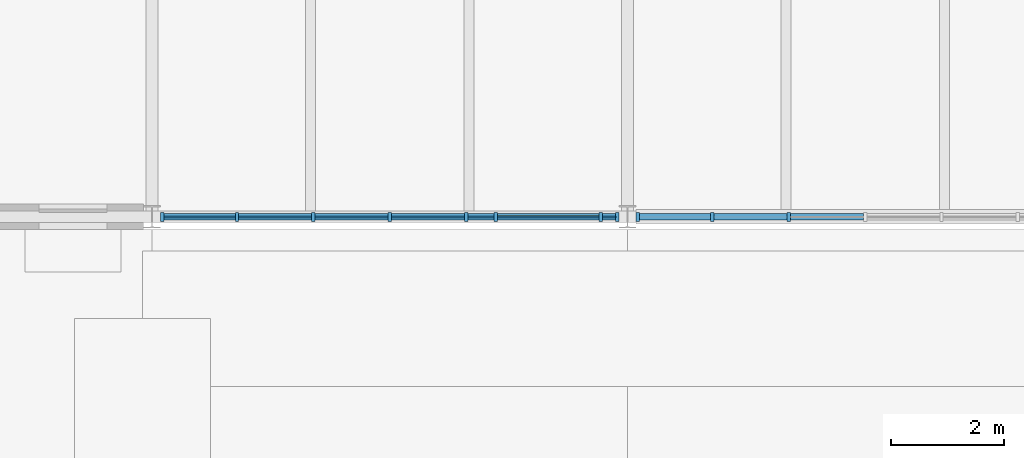
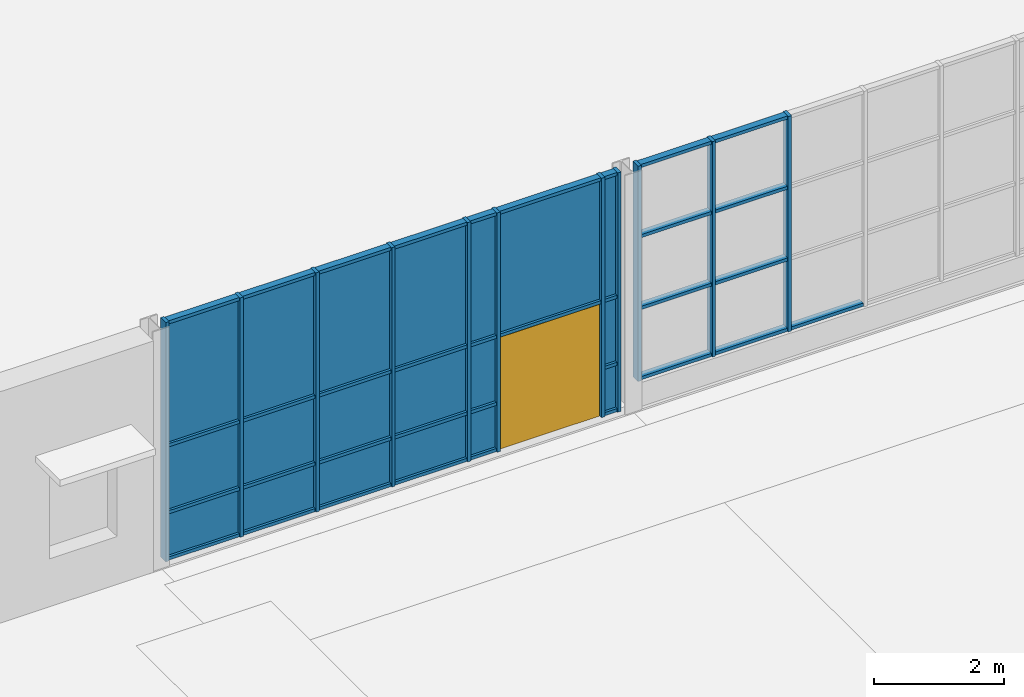
# One storey, part 29 of 116: 46 members, 19 plates, 1 door, 1 opening, 2 elements without a shape of their own.
"""IFC4 building model written with IfcOpenShell, lengths in metres."""

from ifc_helpers import new_model, si_unit, direction, frame, frame_2d, origin, origin_2d, place, context, subcontext, project, spatial, rectangle, extrude, material, layer, layer_set, material_profile, profile_set, type_object, element, fill, aggregate, save


model = new_model("IFC4")

# Units and contexts
model_context = context("Model", 3, precision=1e-05, world=origin(), true_north=direction((0.0, 1.0)))
body_context = subcontext(model_context, "Body", "Model", "MODEL_VIEW")
ifc_project = project(units=[si_unit("LENGTHUNIT", "METRE"), si_unit("AREAUNIT", "SQUARE_METRE"), si_unit("VOLUMEUNIT", "CUBIC_METRE"), si_unit("PLANEANGLEUNIT", "RADIAN"), si_unit("MASSUNIT", "GRAM", prefix="KILO")], contexts=[model_context])

# Site, building, storey
site_placement = place(None, origin())
site = spatial("IfcSite", under=ifc_project, at=site_placement, CompositionType="ELEMENT")
building_placement = place(site_placement, origin())
building = spatial("IfcBuilding", under=site, at=building_placement, Name="Ardhachandra Cancer Care Centre", CompositionType="ELEMENT")
storey_placement = place(building_placement, origin())
storey = spatial("IfcBuildingStorey", under=building, at=storey_placement, Name="L00", CompositionType="ELEMENT", Elevation=0.0)

# Curtain wall, opening, members
ifc_material_1 = material(Name="Aluminium extrusion", Category="aluminium")
ifc_layer_1 = layer(ifc_material_1, 0.14990234375)
ifc_layer_set_1 = layer_set([ifc_layer_1], Name="Aluminium extrusion")
curtain_wall_type = type_object("IfcCurtainWallType", Name="Curtain wall run", PredefinedType="NOTDEFINED", material=ifc_layer_set_1)
curtain_wall_1_placement = place(storey_placement, frame((52.949951171875, 54.60009765625, 0.0), z_axis=(0.0, 0.0, 1.0), x_axis=(1.0, 0.0, 0.0)))
curtain_wall_1 = element("IfcCurtainWall", 1, at=curtain_wall_1_placement, inside=storey, type_object=curtain_wall_type, Name="Curtain wall L00 s/0052800_0054600", PredefinedType="NOTDEFINED")
opening_placement = place(curtain_wall_1_placement, frame((5.949951171875, 0.0, 0.0)))
opening = element("IfcOpeningElement", 2, at=opening_placement, cuts=curtain_wall_1, Name="Opening L00-X10", PredefinedType="OPENING", context=body_context, shape_type="SweptSolid", body=[
    extrude(rectangle(XDim=1.800048828125, YDim=2.10009765625, at=frame_2d((0.89990234375, 1.050048828125))), frame((0.0, 0.0849609375, 0.0), z_axis=(0.0, -1.0, 0.0), x_axis=(1.0, 0.0, 0.0)), (0.0, 0.0, 1.0), 0.169921875),
])
ifc_material_2 = material(Name="Aluminium extrusion", Category="aluminium")
ifc_material_profile_1 = material_profile(ifc_material_2, rectangle(XDim=0.159912109375, YDim=0.06005859375, at=origin_2d()), Name="Curtain wall mullion 60 x 160")
ifc_profile_set_1 = profile_set([ifc_material_profile_1], Name="Aluminium extrusion")
member_type_1 = type_object("IfcMemberType", Name="Curtain wall mullion 60 x 160", PredefinedType="MULLION", material=ifc_profile_set_1)
member_1_placement = place(storey_placement, frame((52.97998046875, 54.60009765625, 0.0), z_axis=(0.0, 0.0, 1.0), x_axis=(0.0, 1.0, 0.0)))
member_1 = element("IfcMember", 3, at=member_1_placement, type_object=member_type_1, Name="CW mullion 1", PredefinedType="MULLION", context=body_context, shape_type="SweptSolid", body=[
    extrude(rectangle(XDim=0.159912109375, YDim=0.06005859375, at=origin_2d()), origin(), (0.0, 0.0, 1.0), 4.5),
])
member_2_placement = place(storey_placement, frame((54.300048828125, 54.60009765625, 0.0), z_axis=(0.0, 0.0, 1.0), x_axis=(0.0, 1.0, 0.0)))
member_2 = element("IfcMember", 4, at=member_2_placement, type_object=member_type_1, Name="CW mullion 2", PredefinedType="MULLION", context=body_context, shape_type="SweptSolid", body=[
    extrude(rectangle(XDim=0.159912109375, YDim=0.06005859375, at=origin_2d()), origin(), (0.0, 0.0, 1.0), 4.5),
])
member_3_placement = place(storey_placement, frame((55.64990234375, 54.60009765625, 0.0), z_axis=(0.0, 0.0, 1.0), x_axis=(0.0, 1.0, 0.0)))
member_3 = element("IfcMember", 5, at=member_3_placement, type_object=member_type_1, Name="CW mullion 3", PredefinedType="MULLION", context=body_context, shape_type="SweptSolid", body=[
    extrude(rectangle(XDim=0.159912109375, YDim=0.06005859375, at=origin_2d()), origin(), (0.0, 0.0, 1.0), 4.5),
])
member_4_placement = place(storey_placement, frame((57.0, 54.60009765625, 0.0), z_axis=(0.0, 0.0, 1.0), x_axis=(0.0, 1.0, 0.0)))
member_4 = element("IfcMember", 6, at=member_4_placement, type_object=member_type_1, Name="CW mullion 4", PredefinedType="MULLION", context=body_context, shape_type="SweptSolid", body=[
    extrude(rectangle(XDim=0.159912109375, YDim=0.06005859375, at=origin_2d()), origin(), (0.0, 0.0, 1.0), 4.5),
])
member_5_placement = place(storey_placement, frame((58.35009765625, 54.60009765625, 0.0), z_axis=(0.0, 0.0, 1.0), x_axis=(0.0, 1.0, 0.0)))
member_5 = element("IfcMember", 7, at=member_5_placement, type_object=member_type_1, Name="CW mullion 5", PredefinedType="MULLION", context=body_context, shape_type="SweptSolid", body=[
    extrude(rectangle(XDim=0.159912109375, YDim=0.06005859375, at=origin_2d()), origin(), (0.0, 0.0, 1.0), 4.5),
])
member_6_placement = place(storey_placement, frame((58.8701171875, 54.60009765625, 0.0), z_axis=(0.0, 0.0, 1.0), x_axis=(0.0, 1.0, 0.0)))
member_6 = element("IfcMember", 8, at=member_6_placement, type_object=member_type_1, Name="CW mullion 6", PredefinedType="MULLION", context=body_context, shape_type="SweptSolid", body=[
    extrude(rectangle(XDim=0.159912109375, YDim=0.06005859375, at=origin_2d()), origin(), (0.0, 0.0, 1.0), 4.5),
])
member_7_placement = place(storey_placement, frame((60.72998046875, 54.60009765625, 0.0), z_axis=(0.0, 0.0, 1.0), x_axis=(0.0, 1.0, 0.0)))
member_7 = element("IfcMember", 9, at=member_7_placement, type_object=member_type_1, Name="CW mullion 7", PredefinedType="MULLION", context=body_context, shape_type="SweptSolid", body=[
    extrude(rectangle(XDim=0.159912109375, YDim=0.06005859375, at=origin_2d()), origin(), (0.0, 0.0, 1.0), 4.5),
])
member_8_placement = place(storey_placement, frame((61.02001953125, 54.60009765625, 0.0), z_axis=(0.0, 0.0, 1.0), x_axis=(0.0, 1.0, 0.0)))
member_8 = element("IfcMember", 10, at=member_8_placement, type_object=member_type_1, Name="CW mullion 8", PredefinedType="MULLION", context=body_context, shape_type="SweptSolid", body=[
    extrude(rectangle(XDim=0.159912109375, YDim=0.06005859375, at=origin_2d()), origin(), (0.0, 0.0, 1.0), 4.5),
])

# Curtain wall, members
curtain_wall_2_placement = place(storey_placement, origin())
curtain_wall_2 = element("IfcCurtainWall", 11, at=curtain_wall_2_placement, inside=storey, type_object=curtain_wall_type, Name="Curtain wall L00 s/0061200_0054600", PredefinedType="NOTDEFINED")
member_9_placement = place(storey_placement, frame((61.3798828125, 54.60009765625, 0.449951171875), z_axis=(0.0, 0.0, 1.0), x_axis=(0.0, 1.0, 0.0)))
member_9 = element("IfcMember", 12, at=member_9_placement, type_object=member_type_1, Name="CW mullion 1", PredefinedType="MULLION", context=body_context, shape_type="SweptSolid", body=[
    extrude(rectangle(XDim=0.159912109375, YDim=0.06005859375, at=origin_2d()), origin(), (0.0, 0.0, 1.0), 4.050048828125),
])
member_10_placement = place(storey_placement, frame((62.699951171875, 54.60009765625, 0.449951171875), z_axis=(0.0, 0.0, 1.0), x_axis=(0.0, 1.0, 0.0)))
member_10 = element("IfcMember", 13, at=member_10_placement, type_object=member_type_1, Name="CW mullion 2", PredefinedType="MULLION", context=body_context, shape_type="SweptSolid", body=[
    extrude(rectangle(XDim=0.159912109375, YDim=0.06005859375, at=origin_2d()), origin(), (0.0, 0.0, 1.0), 4.050048828125),
])
member_11_placement = place(storey_placement, frame((64.050048828125, 54.60009765625, 0.449951171875), z_axis=(0.0, 0.0, 1.0), x_axis=(0.0, 1.0, 0.0)))
member_11 = element("IfcMember", 14, at=member_11_placement, type_object=member_type_1, Name="CW mullion 3", PredefinedType="MULLION", context=body_context, shape_type="SweptSolid", body=[
    extrude(rectangle(XDim=0.159912109375, YDim=0.06005859375, at=origin_2d()), origin(), (0.0, 0.0, 1.0), 4.050048828125),
])

# Member
ifc_material_3 = material(Name="Aluminium extrusion", Category="aluminium")
ifc_material_profile_2 = material_profile(ifc_material_3, rectangle(XDim=0.1201171875, YDim=0.06005859375, at=origin_2d()), Name="Curtain wall transom 60 x 120")
ifc_profile_set_2 = profile_set([ifc_material_profile_2], Name="Aluminium extrusion")
member_type_2 = type_object("IfcMemberType", Name="Curtain wall transom 60 x 120", PredefinedType="USERDEFINED", material=ifc_profile_set_2)
member_12_placement = place(storey_placement, frame((53.010009765625, 54.60009765625, 0.030029296875), z_axis=(1.0, 0.0, 0.0), x_axis=(0.0, 1.0, 0.0)))
member_12 = element("IfcMember", 15, at=member_12_placement, type_object=member_type_2, Name="CW transom 1.1", ObjectType="TRANSOM", PredefinedType="USERDEFINED", context=body_context, shape_type="SweptSolid", body=[
    extrude(rectangle(XDim=0.1201171875, YDim=0.06005859375, at=origin_2d()), origin(), (0.0, 0.0, 1.0), 1.260009765625),
])

member_13_placement = place(storey_placement, frame((53.010009765625, 54.60009765625, 0.89990234375), z_axis=(1.0, 0.0, 0.0), x_axis=(0.0, 1.0, 0.0)))
member_13 = element("IfcMember", 16, at=member_13_placement, type_object=member_type_2, Name="CW transom 1.2", ObjectType="TRANSOM", PredefinedType="USERDEFINED", context=body_context, shape_type="SweptSolid", body=[
    extrude(rectangle(XDim=0.1201171875, YDim=0.06005859375, at=origin_2d()), origin(), (0.0, 0.0, 1.0), 1.260009765625),
])

member_14_placement = place(storey_placement, frame((53.010009765625, 54.60009765625, 2.159912109375), z_axis=(1.0, 0.0, 0.0), x_axis=(0.0, 1.0, 0.0)))
member_14 = element("IfcMember", 17, at=member_14_placement, type_object=member_type_2, Name="CW transom 1.3", ObjectType="TRANSOM", PredefinedType="USERDEFINED", context=body_context, shape_type="SweptSolid", body=[
    extrude(rectangle(XDim=0.1201171875, YDim=0.06005859375, at=origin_2d()), origin(), (0.0, 0.0, 1.0), 1.260009765625),
])

member_15_placement = place(storey_placement, frame((53.010009765625, 54.60009765625, 4.469970703125), z_axis=(1.0, 0.0, 0.0), x_axis=(0.0, 1.0, 0.0)))
member_15 = element("IfcMember", 18, at=member_15_placement, type_object=member_type_2, Name="CW transom 1.4", ObjectType="TRANSOM", PredefinedType="USERDEFINED", context=body_context, shape_type="SweptSolid", body=[
    extrude(rectangle(XDim=0.1201171875, YDim=0.06005859375, at=origin_2d()), origin(), (0.0, 0.0, 1.0), 1.260009765625),
])

member_16_placement = place(storey_placement, frame((54.330078125, 54.60009765625, 0.030029296875), z_axis=(1.0, 0.0, 0.0), x_axis=(0.0, 1.0, 0.0)))
member_16 = element("IfcMember", 19, at=member_16_placement, type_object=member_type_2, Name="CW transom 2.1", ObjectType="TRANSOM", PredefinedType="USERDEFINED", context=body_context, shape_type="SweptSolid", body=[
    extrude(rectangle(XDim=0.1201171875, YDim=0.06005859375, at=origin_2d()), origin(), (0.0, 0.0, 1.0), 1.2900390625),
])

member_17_placement = place(storey_placement, frame((54.330078125, 54.60009765625, 0.89990234375), z_axis=(1.0, 0.0, 0.0), x_axis=(0.0, 1.0, 0.0)))
member_17 = element("IfcMember", 20, at=member_17_placement, type_object=member_type_2, Name="CW transom 2.2", ObjectType="TRANSOM", PredefinedType="USERDEFINED", context=body_context, shape_type="SweptSolid", body=[
    extrude(rectangle(XDim=0.1201171875, YDim=0.06005859375, at=origin_2d()), origin(), (0.0, 0.0, 1.0), 1.2900390625),
])

member_18_placement = place(storey_placement, frame((54.330078125, 54.60009765625, 2.159912109375), z_axis=(1.0, 0.0, 0.0), x_axis=(0.0, 1.0, 0.0)))
member_18 = element("IfcMember", 21, at=member_18_placement, type_object=member_type_2, Name="CW transom 2.3", ObjectType="TRANSOM", PredefinedType="USERDEFINED", context=body_context, shape_type="SweptSolid", body=[
    extrude(rectangle(XDim=0.1201171875, YDim=0.06005859375, at=origin_2d()), origin(), (0.0, 0.0, 1.0), 1.2900390625),
])

member_19_placement = place(storey_placement, frame((54.330078125, 54.60009765625, 4.469970703125), z_axis=(1.0, 0.0, 0.0), x_axis=(0.0, 1.0, 0.0)))
member_19 = element("IfcMember", 22, at=member_19_placement, type_object=member_type_2, Name="CW transom 2.4", ObjectType="TRANSOM", PredefinedType="USERDEFINED", context=body_context, shape_type="SweptSolid", body=[
    extrude(rectangle(XDim=0.1201171875, YDim=0.06005859375, at=origin_2d()), origin(), (0.0, 0.0, 1.0), 1.2900390625),
])

member_20_placement = place(storey_placement, frame((55.679931640625, 54.60009765625, 0.030029296875), z_axis=(1.0, 0.0, 0.0), x_axis=(0.0, 1.0, 0.0)))
member_20 = element("IfcMember", 23, at=member_20_placement, type_object=member_type_2, Name="CW transom 3.1", ObjectType="TRANSOM", PredefinedType="USERDEFINED", context=body_context, shape_type="SweptSolid", body=[
    extrude(rectangle(XDim=0.1201171875, YDim=0.06005859375, at=origin_2d()), origin(), (0.0, 0.0, 1.0), 1.2900390625),
])

member_21_placement = place(storey_placement, frame((55.679931640625, 54.60009765625, 0.89990234375), z_axis=(1.0, 0.0, 0.0), x_axis=(0.0, 1.0, 0.0)))
member_21 = element("IfcMember", 24, at=member_21_placement, type_object=member_type_2, Name="CW transom 3.2", ObjectType="TRANSOM", PredefinedType="USERDEFINED", context=body_context, shape_type="SweptSolid", body=[
    extrude(rectangle(XDim=0.1201171875, YDim=0.06005859375, at=origin_2d()), origin(), (0.0, 0.0, 1.0), 1.2900390625),
])

member_22_placement = place(storey_placement, frame((55.679931640625, 54.60009765625, 2.159912109375), z_axis=(1.0, 0.0, 0.0), x_axis=(0.0, 1.0, 0.0)))
member_22 = element("IfcMember", 25, at=member_22_placement, type_object=member_type_2, Name="CW transom 3.3", ObjectType="TRANSOM", PredefinedType="USERDEFINED", context=body_context, shape_type="SweptSolid", body=[
    extrude(rectangle(XDim=0.1201171875, YDim=0.06005859375, at=origin_2d()), origin(), (0.0, 0.0, 1.0), 1.2900390625),
])

member_23_placement = place(storey_placement, frame((55.679931640625, 54.60009765625, 4.469970703125), z_axis=(1.0, 0.0, 0.0), x_axis=(0.0, 1.0, 0.0)))
member_23 = element("IfcMember", 26, at=member_23_placement, type_object=member_type_2, Name="CW transom 3.4", ObjectType="TRANSOM", PredefinedType="USERDEFINED", context=body_context, shape_type="SweptSolid", body=[
    extrude(rectangle(XDim=0.1201171875, YDim=0.06005859375, at=origin_2d()), origin(), (0.0, 0.0, 1.0), 1.2900390625),
])

member_24_placement = place(storey_placement, frame((57.030029296875, 54.60009765625, 0.030029296875), z_axis=(1.0, 0.0, 0.0), x_axis=(0.0, 1.0, 0.0)))
member_24 = element("IfcMember", 27, at=member_24_placement, type_object=member_type_2, Name="CW transom 4.1", ObjectType="TRANSOM", PredefinedType="USERDEFINED", context=body_context, shape_type="SweptSolid", body=[
    extrude(rectangle(XDim=0.1201171875, YDim=0.06005859375, at=origin_2d()), origin(), (0.0, 0.0, 1.0), 1.2900390625),
])

member_25_placement = place(storey_placement, frame((57.030029296875, 54.60009765625, 0.89990234375), z_axis=(1.0, 0.0, 0.0), x_axis=(0.0, 1.0, 0.0)))
member_25 = element("IfcMember", 28, at=member_25_placement, type_object=member_type_2, Name="CW transom 4.2", ObjectType="TRANSOM", PredefinedType="USERDEFINED", context=body_context, shape_type="SweptSolid", body=[
    extrude(rectangle(XDim=0.1201171875, YDim=0.06005859375, at=origin_2d()), origin(), (0.0, 0.0, 1.0), 1.2900390625),
])

member_26_placement = place(storey_placement, frame((57.030029296875, 54.60009765625, 2.159912109375), z_axis=(1.0, 0.0, 0.0), x_axis=(0.0, 1.0, 0.0)))
member_26 = element("IfcMember", 29, at=member_26_placement, type_object=member_type_2, Name="CW transom 4.3", ObjectType="TRANSOM", PredefinedType="USERDEFINED", context=body_context, shape_type="SweptSolid", body=[
    extrude(rectangle(XDim=0.1201171875, YDim=0.06005859375, at=origin_2d()), origin(), (0.0, 0.0, 1.0), 1.2900390625),
])

member_27_placement = place(storey_placement, frame((57.030029296875, 54.60009765625, 4.469970703125), z_axis=(1.0, 0.0, 0.0), x_axis=(0.0, 1.0, 0.0)))
member_27 = element("IfcMember", 30, at=member_27_placement, type_object=member_type_2, Name="CW transom 4.4", ObjectType="TRANSOM", PredefinedType="USERDEFINED", context=body_context, shape_type="SweptSolid", body=[
    extrude(rectangle(XDim=0.1201171875, YDim=0.06005859375, at=origin_2d()), origin(), (0.0, 0.0, 1.0), 1.2900390625),
])

member_28_placement = place(storey_placement, frame((58.3798828125, 54.60009765625, 0.030029296875), z_axis=(1.0, 0.0, 0.0), x_axis=(0.0, 1.0, 0.0)))
member_28 = element("IfcMember", 31, at=member_28_placement, type_object=member_type_2, Name="CW transom 5.1", ObjectType="TRANSOM", PredefinedType="USERDEFINED", context=body_context, shape_type="SweptSolid", body=[
    extrude(rectangle(XDim=0.1201171875, YDim=0.06005859375, at=origin_2d()), origin(), (0.0, 0.0, 1.0), 0.460205078125),
])

member_29_placement = place(storey_placement, frame((58.3798828125, 54.60009765625, 0.89990234375), z_axis=(1.0, 0.0, 0.0), x_axis=(0.0, 1.0, 0.0)))
member_29 = element("IfcMember", 32, at=member_29_placement, type_object=member_type_2, Name="CW transom 5.2", ObjectType="TRANSOM", PredefinedType="USERDEFINED", context=body_context, shape_type="SweptSolid", body=[
    extrude(rectangle(XDim=0.1201171875, YDim=0.06005859375, at=origin_2d()), origin(), (0.0, 0.0, 1.0), 0.460205078125),
])

member_30_placement = place(storey_placement, frame((58.3798828125, 54.60009765625, 2.159912109375), z_axis=(1.0, 0.0, 0.0), x_axis=(0.0, 1.0, 0.0)))
member_30 = element("IfcMember", 33, at=member_30_placement, type_object=member_type_2, Name="CW transom 5.3", ObjectType="TRANSOM", PredefinedType="USERDEFINED", context=body_context, shape_type="SweptSolid", body=[
    extrude(rectangle(XDim=0.1201171875, YDim=0.06005859375, at=origin_2d()), origin(), (0.0, 0.0, 1.0), 0.460205078125),
])

member_31_placement = place(storey_placement, frame((58.3798828125, 54.60009765625, 4.469970703125), z_axis=(1.0, 0.0, 0.0), x_axis=(0.0, 1.0, 0.0)))
member_31 = element("IfcMember", 34, at=member_31_placement, type_object=member_type_2, Name="CW transom 5.4", ObjectType="TRANSOM", PredefinedType="USERDEFINED", context=body_context, shape_type="SweptSolid", body=[
    extrude(rectangle(XDim=0.1201171875, YDim=0.06005859375, at=origin_2d()), origin(), (0.0, 0.0, 1.0), 0.460205078125),
])

member_32_placement = place(storey_placement, frame((58.89990234375, 54.60009765625, 2.159912109375), z_axis=(1.0, 0.0, 0.0), x_axis=(0.0, 1.0, 0.0)))
member_32 = element("IfcMember", 35, at=member_32_placement, type_object=member_type_2, Name="CW transom 6.1", ObjectType="TRANSOM", PredefinedType="USERDEFINED", context=body_context, shape_type="SweptSolid", body=[
    extrude(rectangle(XDim=0.1201171875, YDim=0.06005859375, at=origin_2d()), origin(), (0.0, 0.0, 1.0), 1.800048828125),
])

member_33_placement = place(storey_placement, frame((58.89990234375, 54.60009765625, 4.469970703125), z_axis=(1.0, 0.0, 0.0), x_axis=(0.0, 1.0, 0.0)))
member_33 = element("IfcMember", 36, at=member_33_placement, type_object=member_type_2, Name="CW transom 6.2", ObjectType="TRANSOM", PredefinedType="USERDEFINED", context=body_context, shape_type="SweptSolid", body=[
    extrude(rectangle(XDim=0.1201171875, YDim=0.06005859375, at=origin_2d()), origin(), (0.0, 0.0, 1.0), 1.800048828125),
])

member_34_placement = place(storey_placement, frame((60.760009765625, 54.60009765625, 0.030029296875), z_axis=(1.0, 0.0, 0.0), x_axis=(0.0, 1.0, 0.0)))
member_34 = element("IfcMember", 37, at=member_34_placement, type_object=member_type_2, Name="CW transom 7.1", ObjectType="TRANSOM", PredefinedType="USERDEFINED", context=body_context, shape_type="SweptSolid", body=[
    extrude(rectangle(XDim=0.1201171875, YDim=0.06005859375, at=origin_2d()), origin(), (0.0, 0.0, 1.0), 0.22998046875),
])

member_35_placement = place(storey_placement, frame((60.760009765625, 54.60009765625, 0.89990234375), z_axis=(1.0, 0.0, 0.0), x_axis=(0.0, 1.0, 0.0)))
member_35 = element("IfcMember", 38, at=member_35_placement, type_object=member_type_2, Name="CW transom 7.2", ObjectType="TRANSOM", PredefinedType="USERDEFINED", context=body_context, shape_type="SweptSolid", body=[
    extrude(rectangle(XDim=0.1201171875, YDim=0.06005859375, at=origin_2d()), origin(), (0.0, 0.0, 1.0), 0.22998046875),
])

member_36_placement = place(storey_placement, frame((60.760009765625, 54.60009765625, 2.159912109375), z_axis=(1.0, 0.0, 0.0), x_axis=(0.0, 1.0, 0.0)))
member_36 = element("IfcMember", 39, at=member_36_placement, type_object=member_type_2, Name="CW transom 7.3", ObjectType="TRANSOM", PredefinedType="USERDEFINED", context=body_context, shape_type="SweptSolid", body=[
    extrude(rectangle(XDim=0.1201171875, YDim=0.06005859375, at=origin_2d()), origin(), (0.0, 0.0, 1.0), 0.22998046875),
])

member_37_placement = place(storey_placement, frame((60.760009765625, 54.60009765625, 4.469970703125), z_axis=(1.0, 0.0, 0.0), x_axis=(0.0, 1.0, 0.0)))
member_37 = element("IfcMember", 40, at=member_37_placement, type_object=member_type_2, Name="CW transom 7.4", ObjectType="TRANSOM", PredefinedType="USERDEFINED", context=body_context, shape_type="SweptSolid", body=[
    extrude(rectangle(XDim=0.1201171875, YDim=0.06005859375, at=origin_2d()), origin(), (0.0, 0.0, 1.0), 0.22998046875),
])

member_38_placement = place(storey_placement, frame((61.409912109375, 54.60009765625, 0.47998046875), z_axis=(1.0, 0.0, 0.0), x_axis=(0.0, 1.0, 0.0)))
member_38 = element("IfcMember", 41, at=member_38_placement, type_object=member_type_2, Name="CW transom 1.1", ObjectType="TRANSOM", PredefinedType="USERDEFINED", context=body_context, shape_type="SweptSolid", body=[
    extrude(rectangle(XDim=0.1201171875, YDim=0.06005859375, at=origin_2d()), origin(), (0.0, 0.0, 1.0), 1.260009765625),
])

member_39_placement = place(storey_placement, frame((61.409912109375, 54.60009765625, 1.800048828125), z_axis=(1.0, 0.0, 0.0), x_axis=(0.0, 1.0, 0.0)))
member_39 = element("IfcMember", 42, at=member_39_placement, type_object=member_type_2, Name="CW transom 1.2", ObjectType="TRANSOM", PredefinedType="USERDEFINED", context=body_context, shape_type="SweptSolid", body=[
    extrude(rectangle(XDim=0.1201171875, YDim=0.06005859375, at=origin_2d()), origin(), (0.0, 0.0, 1.0), 1.260009765625),
])

member_40_placement = place(storey_placement, frame((61.409912109375, 54.60009765625, 3.14990234375), z_axis=(1.0, 0.0, 0.0), x_axis=(0.0, 1.0, 0.0)))
member_40 = element("IfcMember", 43, at=member_40_placement, type_object=member_type_2, Name="CW transom 1.3", ObjectType="TRANSOM", PredefinedType="USERDEFINED", context=body_context, shape_type="SweptSolid", body=[
    extrude(rectangle(XDim=0.1201171875, YDim=0.06005859375, at=origin_2d()), origin(), (0.0, 0.0, 1.0), 1.260009765625),
])

member_41_placement = place(storey_placement, frame((61.409912109375, 54.60009765625, 4.469970703125), z_axis=(1.0, 0.0, 0.0), x_axis=(0.0, 1.0, 0.0)))
member_41 = element("IfcMember", 44, at=member_41_placement, type_object=member_type_2, Name="CW transom 1.4", ObjectType="TRANSOM", PredefinedType="USERDEFINED", context=body_context, shape_type="SweptSolid", body=[
    extrude(rectangle(XDim=0.1201171875, YDim=0.06005859375, at=origin_2d()), origin(), (0.0, 0.0, 1.0), 1.260009765625),
])

member_42_placement = place(storey_placement, frame((62.72998046875, 54.60009765625, 0.47998046875), z_axis=(1.0, 0.0, 0.0), x_axis=(0.0, 1.0, 0.0)))
member_42 = element("IfcMember", 45, at=member_42_placement, type_object=member_type_2, Name="CW transom 2.1", ObjectType="TRANSOM", PredefinedType="USERDEFINED", context=body_context, shape_type="SweptSolid", body=[
    extrude(rectangle(XDim=0.1201171875, YDim=0.06005859375, at=origin_2d()), origin(), (0.0, 0.0, 1.0), 1.2900390625),
])

member_43_placement = place(storey_placement, frame((62.72998046875, 54.60009765625, 1.800048828125), z_axis=(1.0, 0.0, 0.0), x_axis=(0.0, 1.0, 0.0)))
member_43 = element("IfcMember", 46, at=member_43_placement, type_object=member_type_2, Name="CW transom 2.2", ObjectType="TRANSOM", PredefinedType="USERDEFINED", context=body_context, shape_type="SweptSolid", body=[
    extrude(rectangle(XDim=0.1201171875, YDim=0.06005859375, at=origin_2d()), origin(), (0.0, 0.0, 1.0), 1.2900390625),
])

member_44_placement = place(storey_placement, frame((62.72998046875, 54.60009765625, 3.14990234375), z_axis=(1.0, 0.0, 0.0), x_axis=(0.0, 1.0, 0.0)))
member_44 = element("IfcMember", 47, at=member_44_placement, type_object=member_type_2, Name="CW transom 2.3", ObjectType="TRANSOM", PredefinedType="USERDEFINED", context=body_context, shape_type="SweptSolid", body=[
    extrude(rectangle(XDim=0.1201171875, YDim=0.06005859375, at=origin_2d()), origin(), (0.0, 0.0, 1.0), 1.2900390625),
])

member_45_placement = place(storey_placement, frame((62.72998046875, 54.60009765625, 4.469970703125), z_axis=(1.0, 0.0, 0.0), x_axis=(0.0, 1.0, 0.0)))
member_45 = element("IfcMember", 48, at=member_45_placement, type_object=member_type_2, Name="CW transom 2.4", ObjectType="TRANSOM", PredefinedType="USERDEFINED", context=body_context, shape_type="SweptSolid", body=[
    extrude(rectangle(XDim=0.1201171875, YDim=0.06005859375, at=origin_2d()), origin(), (0.0, 0.0, 1.0), 1.2900390625),
])

member_46_placement = place(storey_placement, frame((64.080078125, 54.60009765625, 0.47998046875), z_axis=(1.0, 0.0, 0.0), x_axis=(0.0, 1.0, 0.0)))
member_46 = element("IfcMember", 49, at=member_46_placement, type_object=member_type_2, Name="CW transom 3.1", ObjectType="TRANSOM", PredefinedType="USERDEFINED", context=body_context, shape_type="SweptSolid", body=[
    extrude(rectangle(XDim=0.1201171875, YDim=0.06005859375, at=origin_2d()), origin(), (0.0, 0.0, 1.0), 1.2900390625),
])

aggregate(curtain_wall_2, [member_9, member_10, member_11, member_38, member_39, member_40, member_41, member_42, member_43, member_44, member_45, member_46])

# Plate
ifc_material_4 = material(Name="Low-iron double-glazed unit")
ifc_layer_2 = layer(ifc_material_4, 0.028076171875)
ifc_layer_set_2 = layer_set([ifc_layer_2], Name="Low-iron double-glazed unit")
plate_type = type_object("IfcPlateType", Name="Curtain wall glazing 28", PredefinedType="CURTAIN_PANEL", material=ifc_layer_set_2)
plate_1_placement = place(storey_placement, frame((53.639892578125, 54.60009765625, 0.06005859375), z_axis=(0.0, 0.0, 1.0), x_axis=(1.0, 0.0, 0.0)))
plate_1 = element("IfcPlate", 50, at=plate_1_placement, type_object=plate_type, Name="CW panel 1.1", PredefinedType="CURTAIN_PANEL", context=body_context, shape_type="SweptSolid", body=[
    extrude(rectangle(XDim=1.260009765625, YDim=0.028076171875, at=origin_2d()), origin(), (0.0, 0.0, 1.0), 0.81005859375),
])

plate_2_placement = place(storey_placement, frame((53.639892578125, 54.60009765625, 0.93017578125), z_axis=(0.0, 0.0, 1.0), x_axis=(1.0, 0.0, 0.0)))
plate_2 = element("IfcPlate", 51, at=plate_2_placement, type_object=plate_type, Name="CW panel 1.2", PredefinedType="CURTAIN_PANEL", context=body_context, shape_type="SweptSolid", body=[
    extrude(rectangle(XDim=1.260009765625, YDim=0.028076171875, at=origin_2d()), origin(), (0.0, 0.0, 1.0), 1.199951171875),
])

plate_3_placement = place(storey_placement, frame((53.639892578125, 54.60009765625, 2.18994140625), z_axis=(0.0, 0.0, 1.0), x_axis=(1.0, 0.0, 0.0)))
plate_3 = element("IfcPlate", 52, at=plate_3_placement, type_object=plate_type, Name="CW panel 1.3", PredefinedType="CURTAIN_PANEL", context=body_context, shape_type="SweptSolid", body=[
    extrude(rectangle(XDim=1.260009765625, YDim=0.028076171875, at=origin_2d()), origin(), (0.0, 0.0, 1.0), 2.25),
])

plate_4_placement = place(storey_placement, frame((54.97509765625, 54.60009765625, 0.06005859375), z_axis=(0.0, 0.0, 1.0), x_axis=(1.0, 0.0, 0.0)))
plate_4 = element("IfcPlate", 53, at=plate_4_placement, type_object=plate_type, Name="CW panel 2.1", PredefinedType="CURTAIN_PANEL", context=body_context, shape_type="SweptSolid", body=[
    extrude(rectangle(XDim=1.2900390625, YDim=0.028076171875, at=origin_2d()), origin(), (0.0, 0.0, 1.0), 0.81005859375),
])

plate_5_placement = place(storey_placement, frame((54.97509765625, 54.60009765625, 0.93017578125), z_axis=(0.0, 0.0, 1.0), x_axis=(1.0, 0.0, 0.0)))
plate_5 = element("IfcPlate", 54, at=plate_5_placement, type_object=plate_type, Name="CW panel 2.2", PredefinedType="CURTAIN_PANEL", context=body_context, shape_type="SweptSolid", body=[
    extrude(rectangle(XDim=1.2900390625, YDim=0.028076171875, at=origin_2d()), origin(), (0.0, 0.0, 1.0), 1.199951171875),
])

plate_6_placement = place(storey_placement, frame((54.97509765625, 54.60009765625, 2.18994140625), z_axis=(0.0, 0.0, 1.0), x_axis=(1.0, 0.0, 0.0)))
plate_6 = element("IfcPlate", 55, at=plate_6_placement, type_object=plate_type, Name="CW panel 2.3", PredefinedType="CURTAIN_PANEL", context=body_context, shape_type="SweptSolid", body=[
    extrude(rectangle(XDim=1.2900390625, YDim=0.028076171875, at=origin_2d()), origin(), (0.0, 0.0, 1.0), 2.25),
])

plate_7_placement = place(storey_placement, frame((56.324951171875, 54.60009765625, 0.06005859375), z_axis=(0.0, 0.0, 1.0), x_axis=(1.0, 0.0, 0.0)))
plate_7 = element("IfcPlate", 56, at=plate_7_placement, type_object=plate_type, Name="CW panel 3.1", PredefinedType="CURTAIN_PANEL", context=body_context, shape_type="SweptSolid", body=[
    extrude(rectangle(XDim=1.2900390625, YDim=0.028076171875, at=origin_2d()), origin(), (0.0, 0.0, 1.0), 0.81005859375),
])

plate_8_placement = place(storey_placement, frame((56.324951171875, 54.60009765625, 0.93017578125), z_axis=(0.0, 0.0, 1.0), x_axis=(1.0, 0.0, 0.0)))
plate_8 = element("IfcPlate", 57, at=plate_8_placement, type_object=plate_type, Name="CW panel 3.2", PredefinedType="CURTAIN_PANEL", context=body_context, shape_type="SweptSolid", body=[
    extrude(rectangle(XDim=1.2900390625, YDim=0.028076171875, at=origin_2d()), origin(), (0.0, 0.0, 1.0), 1.199951171875),
])

plate_9_placement = place(storey_placement, frame((56.324951171875, 54.60009765625, 2.18994140625), z_axis=(0.0, 0.0, 1.0), x_axis=(1.0, 0.0, 0.0)))
plate_9 = element("IfcPlate", 58, at=plate_9_placement, type_object=plate_type, Name="CW panel 3.3", PredefinedType="CURTAIN_PANEL", context=body_context, shape_type="SweptSolid", body=[
    extrude(rectangle(XDim=1.2900390625, YDim=0.028076171875, at=origin_2d()), origin(), (0.0, 0.0, 1.0), 2.25),
])

plate_10_placement = place(storey_placement, frame((57.675048828125, 54.60009765625, 0.06005859375), z_axis=(0.0, 0.0, 1.0), x_axis=(1.0, 0.0, 0.0)))
plate_10 = element("IfcPlate", 59, at=plate_10_placement, type_object=plate_type, Name="CW panel 4.1", PredefinedType="CURTAIN_PANEL", context=body_context, shape_type="SweptSolid", body=[
    extrude(rectangle(XDim=1.2900390625, YDim=0.028076171875, at=origin_2d()), origin(), (0.0, 0.0, 1.0), 0.81005859375),
])

plate_11_placement = place(storey_placement, frame((57.675048828125, 54.60009765625, 0.93017578125), z_axis=(0.0, 0.0, 1.0), x_axis=(1.0, 0.0, 0.0)))
plate_11 = element("IfcPlate", 60, at=plate_11_placement, type_object=plate_type, Name="CW panel 4.2", PredefinedType="CURTAIN_PANEL", context=body_context, shape_type="SweptSolid", body=[
    extrude(rectangle(XDim=1.2900390625, YDim=0.028076171875, at=origin_2d()), origin(), (0.0, 0.0, 1.0), 1.199951171875),
])

plate_12_placement = place(storey_placement, frame((57.675048828125, 54.60009765625, 2.18994140625), z_axis=(0.0, 0.0, 1.0), x_axis=(1.0, 0.0, 0.0)))
plate_12 = element("IfcPlate", 61, at=plate_12_placement, type_object=plate_type, Name="CW panel 4.3", PredefinedType="CURTAIN_PANEL", context=body_context, shape_type="SweptSolid", body=[
    extrude(rectangle(XDim=1.2900390625, YDim=0.028076171875, at=origin_2d()), origin(), (0.0, 0.0, 1.0), 2.25),
])

plate_13_placement = place(storey_placement, frame((58.610107421875, 54.60009765625, 0.06005859375), z_axis=(0.0, 0.0, 1.0), x_axis=(1.0, 0.0, 0.0)))
plate_13 = element("IfcPlate", 62, at=plate_13_placement, type_object=plate_type, Name="CW panel 5.1", PredefinedType="CURTAIN_PANEL", context=body_context, shape_type="SweptSolid", body=[
    extrude(rectangle(XDim=0.4599609375, YDim=0.028076171875, at=origin_2d()), origin(), (0.0, 0.0, 1.0), 0.81005859375),
])

plate_14_placement = place(storey_placement, frame((58.610107421875, 54.60009765625, 0.93017578125), z_axis=(0.0, 0.0, 1.0), x_axis=(1.0, 0.0, 0.0)))
plate_14 = element("IfcPlate", 63, at=plate_14_placement, type_object=plate_type, Name="CW panel 5.2", PredefinedType="CURTAIN_PANEL", context=body_context, shape_type="SweptSolid", body=[
    extrude(rectangle(XDim=0.4599609375, YDim=0.028076171875, at=origin_2d()), origin(), (0.0, 0.0, 1.0), 1.199951171875),
])

plate_15_placement = place(storey_placement, frame((58.610107421875, 54.60009765625, 2.18994140625), z_axis=(0.0, 0.0, 1.0), x_axis=(1.0, 0.0, 0.0)))
plate_15 = element("IfcPlate", 64, at=plate_15_placement, type_object=plate_type, Name="CW panel 5.3", PredefinedType="CURTAIN_PANEL", context=body_context, shape_type="SweptSolid", body=[
    extrude(rectangle(XDim=0.4599609375, YDim=0.028076171875, at=origin_2d()), origin(), (0.0, 0.0, 1.0), 2.25),
])

plate_16_placement = place(storey_placement, frame((59.800048828125, 54.60009765625, 2.18994140625), z_axis=(0.0, 0.0, 1.0), x_axis=(1.0, 0.0, 0.0)))
plate_16 = element("IfcPlate", 65, at=plate_16_placement, type_object=plate_type, Name="CW panel 6.1", PredefinedType="CURTAIN_PANEL", context=body_context, shape_type="SweptSolid", body=[
    extrude(rectangle(XDim=1.800048828125, YDim=0.028076171875, at=origin_2d()), origin(), (0.0, 0.0, 1.0), 2.25),
])

plate_17_placement = place(storey_placement, frame((60.875, 54.60009765625, 0.06005859375), z_axis=(0.0, 0.0, 1.0), x_axis=(1.0, 0.0, 0.0)))
plate_17 = element("IfcPlate", 66, at=plate_17_placement, type_object=plate_type, Name="CW panel 7.1", PredefinedType="CURTAIN_PANEL", context=body_context, shape_type="SweptSolid", body=[
    extrude(rectangle(XDim=0.22998046875, YDim=0.028076171875, at=origin_2d()), origin(), (0.0, 0.0, 1.0), 0.81005859375),
])

plate_18_placement = place(storey_placement, frame((60.875, 54.60009765625, 0.93017578125), z_axis=(0.0, 0.0, 1.0), x_axis=(1.0, 0.0, 0.0)))
plate_18 = element("IfcPlate", 67, at=plate_18_placement, type_object=plate_type, Name="CW panel 7.2", PredefinedType="CURTAIN_PANEL", context=body_context, shape_type="SweptSolid", body=[
    extrude(rectangle(XDim=0.22998046875, YDim=0.028076171875, at=origin_2d()), origin(), (0.0, 0.0, 1.0), 1.199951171875),
])

plate_19_placement = place(storey_placement, frame((60.875, 54.60009765625, 2.18994140625), z_axis=(0.0, 0.0, 1.0), x_axis=(1.0, 0.0, 0.0)))
plate_19 = element("IfcPlate", 68, at=plate_19_placement, type_object=plate_type, Name="CW panel 7.3", PredefinedType="CURTAIN_PANEL", context=body_context, shape_type="SweptSolid", body=[
    extrude(rectangle(XDim=0.22998046875, YDim=0.028076171875, at=origin_2d()), origin(), (0.0, 0.0, 1.0), 2.25),
])

aggregate(curtain_wall_1, [member_1, member_2, member_3, member_4, member_5, member_6, member_7, member_8, member_12, member_13, member_14, member_15, plate_1, plate_2, plate_3, member_16, member_17, member_18, member_19, plate_4, plate_5, plate_6, member_20, member_21, member_22, member_23, plate_7, plate_8, plate_9, member_24, member_25, member_26, member_27, plate_10, plate_11, plate_12, member_28, member_29, member_30, member_31, plate_13, plate_14, plate_15, member_32, member_33, plate_16, member_34, member_35, member_36, member_37, plate_17, plate_18, plate_19])

# Door
ifc_material_5 = material(Name="Hollow steel door set with fire-rated infill", Category="steel")
door_type = type_object("IfcDoorType", Name="Exit door pair 1800 x 2100", OperationType="DOUBLE_DOOR_SINGLE_SWING", PredefinedType="DOOR", material=ifc_material_5)
door_placement = place(opening_placement, origin())
door = element("IfcDoor", 69, at=door_placement, inside=storey, type_object=door_type, Name="Hall Court Exit Door L00-X10", OperationType="SINGLE_SWING_LEFT", OverallHeight=2.10009765625, OverallWidth=1.800048828125, PredefinedType="DOOR", context=body_context, shape_type="SweptSolid", body=[
    extrude(rectangle(XDim=1.800048828125, YDim=2.10009765625, at=frame_2d((0.89990234375, 1.050048828125))), frame((0.0, 0.02490234375, 0.0), z_axis=(0.0, -1.0, 0.0), x_axis=(1.0, 0.0, 0.0)), (0.0, 0.0, 1.0), 0.050048828125),
])

fill(opening, door)

save(model, "model.ifc")
